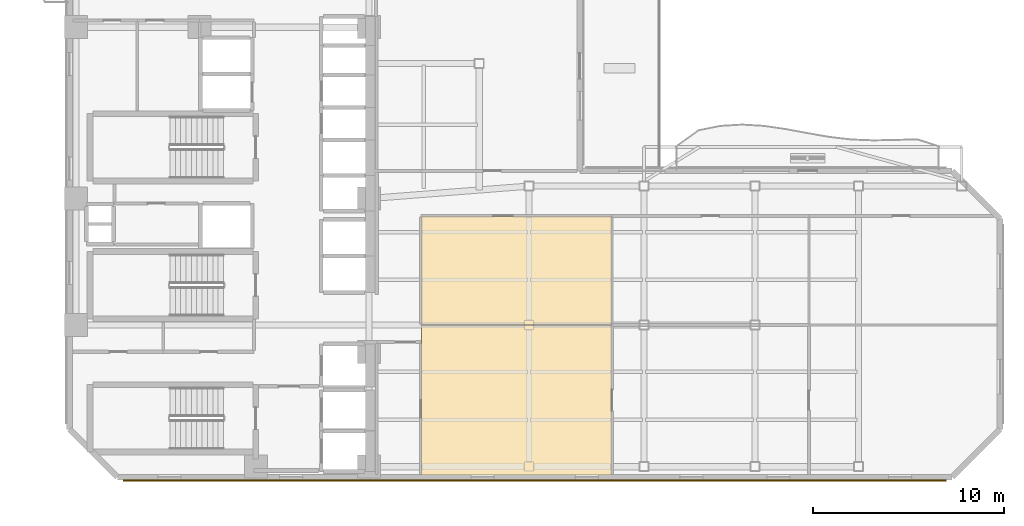
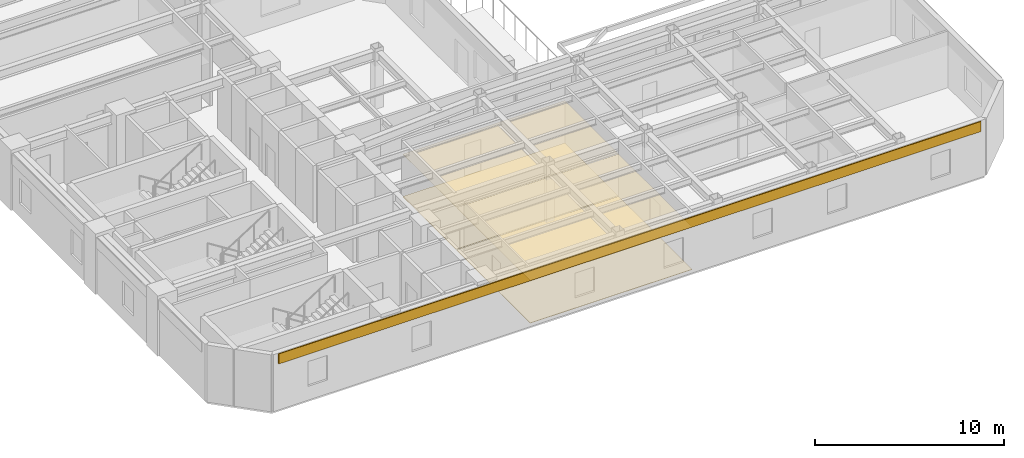
# One storey, part 8 of 11: 5 coverings.
"""IFC4 building model written with IfcOpenShell, lengths in metres."""

import ifcopenshell
import ifcopenshell.guid

model = None  # the IFC model being written
_history = None  # IfcOwnerHistory: only IFC2X3 demands one
_inside = {}  # id of a spatial element -> (the spatial element, [elements in it])
_under = {}  # id of a project, library or spatial element -> (it, [spatial elements below it])
_declared = {}  # id of a project -> (the project, [libraries it declares])
_typed = {}  # id of a type object -> (the type object, [elements of that type])
_made_of = {}  # id of a material, layer set ... -> (it, [elements and type objects made of it])


def new_model(schema):
    """Start an empty IFC model of exactly this schema.

    Asked for "IFC4X3", IfcOpenShell would pick the latest addendum, in which some entities
    have other attributes; the version numbers below select the first issue.
    IFC2X3 requires an IfcOwnerHistory on every rooted entity: one is made here for all.
    """
    global model, _history
    if schema == "IFC4X3":
        model = ifcopenshell.file(schema_version=(4, 3, 0, 0))
    else:
        model = ifcopenshell.file(schema=schema)
    _inside.clear()
    _under.clear()
    _declared.clear()
    _typed.clear()
    _made_of.clear()
    _history = None
    if model.schema == "IFC2X3":
        org = make("IfcOrganization", Name="unknown")
        user = make(
            "IfcPersonAndOrganization",
            ThePerson=make("IfcPerson", FamilyName="unknown"),
            TheOrganization=org,
        )
        app = make(
            "IfcApplication",
            ApplicationDeveloper=org,
            Version="unknown",
            ApplicationFullName="unknown",
            ApplicationIdentifier="unknown",
        )
        _history = make(
            "IfcOwnerHistory",
            OwningUser=user,
            OwningApplication=app,
            ChangeAction="ADDED",
            CreationDate=0,
        )
    return model


def make(cls, **values):
    """One entity of the class cls with the attributes given. An attribute that is None is left unset."""
    return model.create_entity(
        cls, **{name: value for name, value in values.items() if value is not None}
    )


def rooted(cls, **values):
    """An entity with a GlobalId (a new one), such as an element, a storey or a relation."""
    return make(cls, GlobalId=ifcopenshell.guid.new(), OwnerHistory=_history, **values)


def si_unit(unit_type, name, prefix=None):
    """IfcSIUnit, for example si_unit("LENGTHUNIT", "METRE", prefix="MILLI")."""
    return make("IfcSIUnit", UnitType=unit_type, Prefix=prefix, Name=name)


def assignment(units):
    """IfcUnitAssignment: the units of a project."""
    return None if units is None else make("IfcUnitAssignment", Units=units)


def point(xyz):
    """IfcCartesianPoint."""
    return None if xyz is None else make("IfcCartesianPoint", Coordinates=xyz)


def direction(xyz):
    """IfcDirection."""
    return None if xyz is None else make("IfcDirection", DirectionRatios=xyz)


def frame(location, z_axis=None, x_axis=None):
    """IfcAxis2Placement3D, a coordinate frame: its origin and axes. An axis left out is left unset."""
    return make(
        "IfcAxis2Placement3D",
        Location=point(location),
        Axis=direction(z_axis),
        RefDirection=direction(x_axis),
    )


def frame_2d(location, x_axis=None):
    """IfcAxis2Placement2D, a coordinate frame in the plane: its origin and x axis."""
    return make(
        "IfcAxis2Placement2D", Location=point(location), RefDirection=direction(x_axis)
    )


def origin():
    """The frame at (0, 0, 0) with its axes left unset."""
    return frame((0.0, 0.0, 0.0))


def origin_2d():
    """The frame at (0, 0) in the plane with its x axis left unset."""
    return frame_2d((0.0, 0.0))


def place(relative_to, where):
    """IfcLocalPlacement: puts the frame where relative to a parent placement (None: the world)."""
    return make(
        "IfcLocalPlacement", PlacementRelTo=relative_to, RelativePlacement=where
    )


def context(
    kind, dimensions, precision=None, world=None, true_north=None, identifier=None
):
    """IfcGeometricRepresentationContext, for example the 3D "Model" context."""
    return make(
        "IfcGeometricRepresentationContext",
        ContextIdentifier=identifier,
        ContextType=kind,
        CoordinateSpaceDimension=dimensions,
        Precision=precision,
        WorldCoordinateSystem=world,
        TrueNorth=true_north,
    )


def subcontext(parent, identifier, kind, view, scale=None):
    """IfcGeometricRepresentationSubContext, for example "Body" below "Model"."""
    return make(
        "IfcGeometricRepresentationSubContext",
        ContextIdentifier=identifier,
        ContextType=kind,
        ParentContext=parent,
        TargetScale=scale,
        TargetView=view,
    )


def project(units=None, contexts=None):
    """IfcProject with its units and contexts."""
    return rooted(
        "IfcProject",
        Name="project",
        RepresentationContexts=contexts,
        UnitsInContext=assignment(units),
    )


def spatial(cls, under=None, at=None, **own):
    """A site, building, storey or space (cls), placed at a placement, below another one or the project."""
    s = rooted(cls, ObjectPlacement=at, **own)
    if under is not None:
        _under.setdefault(under.id(), (under, []))[1].append(s)
    return s


def polyline(points):
    """IfcPolyline through the points."""
    return make("IfcPolyline", Points=[point(p) for p in points])


def profile(cls, at=None, kind="AREA", **sizes):
    """A parametric profile (cls). Its sizes go by their IFC names, for example OverallWidth=200.0."""
    return make(cls, ProfileType=kind, Position=at, **sizes)


def rectangle(**sizes):
    """IfcRectangleProfileDef."""
    return profile("IfcRectangleProfileDef", **sizes)


def outline(outer, holes=None, kind="AREA"):
    """IfcArbitraryClosedProfileDef: a profile drawn as a closed curve; with holes, ...WithVoids."""
    if holes is None:
        return make("IfcArbitraryClosedProfileDef", ProfileType=kind, OuterCurve=outer)
    return make(
        "IfcArbitraryProfileDefWithVoids",
        ProfileType=kind,
        OuterCurve=outer,
        InnerCurves=holes,
    )


def extrude(swept, where, along, depth):
    """IfcExtrudedAreaSolid: the profile swept, set in the frame where, extruded along a direction by depth."""
    return make(
        "IfcExtrudedAreaSolid",
        SweptArea=swept,
        Position=where,
        ExtrudedDirection=direction(along),
        Depth=depth,
    )


def shape(context_of_items, identifier, shape_type, items):
    """IfcShapeRepresentation: the items that make up one representation, for example the "Body"."""
    return make(
        "IfcShapeRepresentation",
        ContextOfItems=context_of_items,
        RepresentationIdentifier=identifier,
        RepresentationType=shape_type,
        Items=items,
    )


def material(Name=None, Category=None):
    """IfcMaterial."""
    return make("IfcMaterial", Name=Name, Category=Category)


def layer(
    of_material, thickness, ventilated=None, Name=None, Category=None, Priority=None
):
    """IfcMaterialLayer: one layer of a wall or slab, of a material (None: an air gap)."""
    return make(
        "IfcMaterialLayer",
        Material=of_material,
        LayerThickness=thickness,
        IsVentilated=ventilated,
        Name=Name,
        Category=Category,
        Priority=Priority,
    )


def layer_set(layers, Name=None):
    """IfcMaterialLayerSet."""
    return make("IfcMaterialLayerSet", MaterialLayers=layers, LayerSetName=Name)


def made_of(thing, what):
    """Note that an element or type object is made of a material, layer set ...; save() writes the relation."""
    if what is not None:
        _made_of.setdefault(what.id(), (what, []))[1].append(thing)
    return thing


def type_object(cls, material=None, **own):
    """A type object (cls), such as IfcWallType, which elements share."""
    return made_of(rooted(cls, **own), material)


def element(
    cls,
    number,
    at=None,
    inside=None,
    cuts=None,
    type_object=None,
    material=None,
    context=None,
    identifier="Body",
    shape_type=None,
    held_by="IfcProductDefinitionShape",
    body=None,
    shapes=None,
    **own,
):
    """One element of the class cls, such as IfcWall. Its Tag is "e" and its number.

    at: its placement. inside: the storey or other place that contains it. cuts: it is an
    opening in that element (IfcRelVoidsElement). A single representation is given by context,
    identifier, shape_type and body (its items); several are given by shapes. held_by: the class
    of the entity that holds the representations. save() writes the other relations.
    """
    e = rooted(cls, Tag="e%d" % number, ObjectPlacement=at, **own)
    if body is not None:
        shapes = [shape(context, identifier, shape_type, body)]
    if shapes is not None:
        e.Representation = make(held_by, Representations=shapes)
    if inside is not None:
        _inside.setdefault(inside.id(), (inside, []))[1].append(e)
    if cuts is not None:
        rooted(
            "IfcRelVoidsElement", RelatingBuildingElement=cuts, RelatedOpeningElement=e
        )
    if type_object is not None:
        _typed.setdefault(type_object.id(), (type_object, []))[1].append(e)
    return made_of(e, material)


def aggregate(whole, parts):
    """IfcRelAggregates: a whole, such as a stair, and the parts it consists of."""
    return rooted("IfcRelAggregates", RelatingObject=whole, RelatedObjects=parts)


def save(model, path):
    """Write the relations noted so far, then the file.

    IfcRelAggregates (storeys below a building ...), IfcRelContainedInSpatialStructure (elements
    in a storey), IfcRelDefinesByType, IfcRelAssociatesMaterial and IfcRelDeclares: one each for
    every whole, place, type object, material and project.
    """
    for whole, parts in _under.values():
        aggregate(whole, parts)
    for where, things in _inside.values():
        rooted(
            "IfcRelContainedInSpatialStructure",
            RelatedElements=things,
            RelatingStructure=where,
        )
    for kind, things in _typed.values():
        rooted("IfcRelDefinesByType", RelatedObjects=things, RelatingType=kind)
    for what, things in _made_of.values():
        rooted("IfcRelAssociatesMaterial", RelatedObjects=things, RelatingMaterial=what)
    for by, libraries in _declared.values():
        rooted("IfcRelDeclares", RelatingContext=by, RelatedDefinitions=libraries)
    model.write(path)


model = new_model("IFC4")

# Units and contexts
model_context = context("Model", 3, precision=1e-05, world=origin(), true_north=direction((0.0, 1.0)))
body_context = subcontext(model_context, "Body", "Model", "MODEL_VIEW")
ifc_project = project(units=[si_unit("LENGTHUNIT", "METRE"), si_unit("AREAUNIT", "SQUARE_METRE"), si_unit("VOLUMEUNIT", "CUBIC_METRE"), si_unit("PLANEANGLEUNIT", "RADIAN"), si_unit("MASSUNIT", "GRAM", prefix="KILO")], contexts=[model_context])

# Site, building, storey
site_placement = place(None, origin())
site = spatial("IfcSite", under=ifc_project, at=site_placement, CompositionType="ELEMENT")
building_placement = place(site_placement, origin())
building = spatial("IfcBuilding", under=site, at=building_placement, Name="Mawjaban Terraces University", CompositionType="ELEMENT")
storey_placement = place(building_placement, frame((0.0, 0.0, 103.39990234375)))
storey = spatial("IfcBuildingStorey", under=building, at=storey_placement, Name="L24", CompositionType="ELEMENT", Elevation=103.39990234375)

# Coverings
ifc_material_1 = material(Name="Acoustic mineral fibre ceiling tile", Category="masonry")
ifc_layer_1 = layer(ifc_material_1, 0.02001953125)
ifc_layer_set_1 = layer_set([ifc_layer_1], Name="Acoustic mineral fibre ceiling tile")
covering_type_1 = type_object("IfcCoveringType", Name="AcousticMineralCeiling_20", PredefinedType="CEILING", material=ifc_layer_set_1)
covering_1_placement = place(storey_placement, frame((0.0, 0.0, 2.75)))
element("IfcCovering", 1, at=covering_1_placement, inside=storey, type_object=covering_type_1, Name="L24 Seminar Room 2 Acoustic Ceiling", PredefinedType="CEILING", context=body_context, shape_type="SweptSolid", body=[
    extrude(outline(polyline([(40.3798828125, 0.114990234375), (50.302001953125, 0.114990234375), (50.302001953125, 7.919921875), (40.3798828125, 7.919921875), (40.3798828125, 0.114990234375)])), origin(), (0.0, 0.0, 1.0), 0.02001953125),
])
covering_2_placement = place(storey_placement, frame((0.0, 0.0, 2.75)))
element("IfcCovering", 2, at=covering_2_placement, inside=storey, type_object=covering_type_1, Name="L24 Classroom 3 Acoustic Ceiling", PredefinedType="CEILING", context=body_context, shape_type="SweptSolid", body=[
    extrude(outline(polyline([(50.302001953125, 7.97998046875), (50.302001953125, 13.6201171875), (40.3798828125, 13.6201171875), (40.3798828125, 7.97998046875), (50.302001953125, 7.97998046875)])), origin(), (0.0, 0.0, 1.0), 0.02001953125),
])
ifc_material_2 = material(Name="Glazed architectural terracotta rainscreen", Category="masonry")
ifc_layer_2 = layer(ifc_material_2, 0.06005859375)
ifc_layer_set_2 = layer_set([ifc_layer_2], Name="Glazed architectural terracotta rainscreen")
covering_type_2 = type_object("IfcCoveringType", Name="TerracottaSpandrelCladding_60", PredefinedType="CLADDING", material=ifc_layer_set_2)
covering_3_placement = place(storey_placement, frame((46.300048828125, -0.175048828125, 3.01513671875), z_axis=(0.0, 0.0, 1.0), x_axis=(1.0, 0.0, 0.0)))
element("IfcCovering", 3, at=covering_3_placement, inside=storey, type_object=covering_type_2, Name="L24 Terracotta Spandrel Cladding 1", PredefinedType="CLADDING", context=body_context, shape_type="SweptSolid", body=[
    extrude(rectangle(XDim=43.0, YDim=0.06005859375, at=origin_2d()), origin(), (0.0, 0.0, 1.0), 0.64990234375),
])
ifc_material_3 = material(Name="Polished Hijazi granite terrazzo flooring", Category="masonry")
ifc_layer_3 = layer(ifc_material_3, 0.02490234375)
ifc_layer_set_3 = layer_set([ifc_layer_3], Name="Polished Hijazi granite terrazzo flooring")
covering_type_3 = type_object("IfcCoveringType", Name="TerrazzoConcourseFlooring_25", PredefinedType="FLOORING", material=ifc_layer_set_3)
covering_4_placement = place(storey_placement, origin())
element("IfcCovering", 4, at=covering_4_placement, inside=storey, type_object=covering_type_3, Name="L24 Seminar Room 2 Terrazzo Flooring", PredefinedType="FLOORING", context=body_context, shape_type="SweptSolid", body=[
    extrude(outline(polyline([(40.3798828125, 0.114990234375), (50.302001953125, 0.114990234375), (50.302001953125, 7.919921875), (40.3798828125, 7.919921875), (40.3798828125, 0.114990234375)])), origin(), (0.0, 0.0, 1.0), 0.025146484375),
])
covering_5_placement = place(storey_placement, origin())
element("IfcCovering", 5, at=covering_5_placement, inside=storey, type_object=covering_type_3, Name="L24 Classroom 3 Terrazzo Flooring", PredefinedType="FLOORING", context=body_context, shape_type="SweptSolid", body=[
    extrude(outline(polyline([(50.302001953125, 7.97998046875), (50.302001953125, 13.6201171875), (40.3798828125, 13.6201171875), (40.3798828125, 7.97998046875), (50.302001953125, 7.97998046875)])), origin(), (0.0, 0.0, 1.0), 0.025146484375),
])

save(model, "model.ifc")
